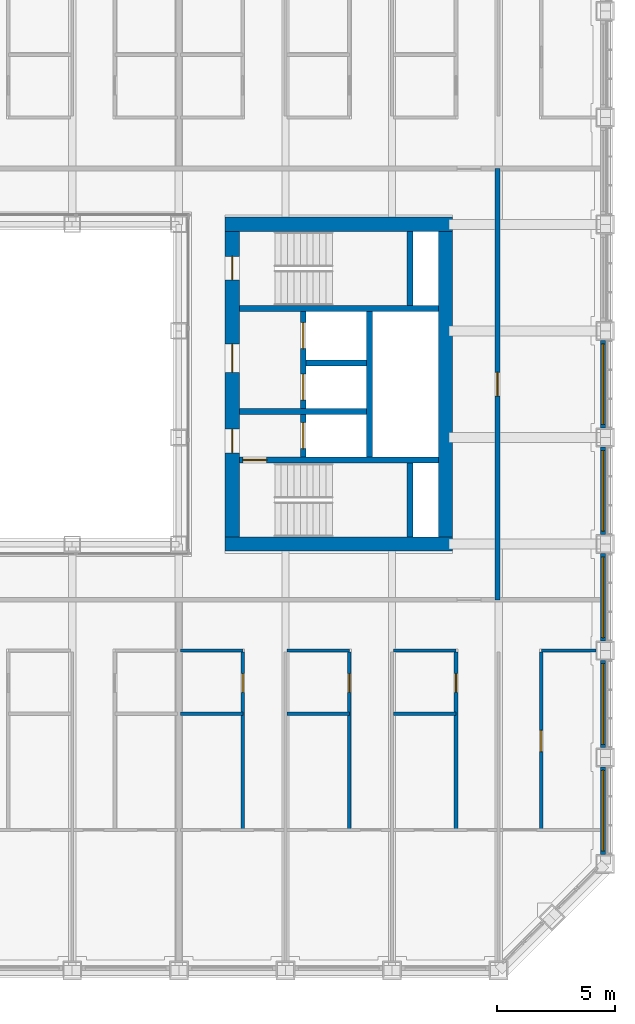
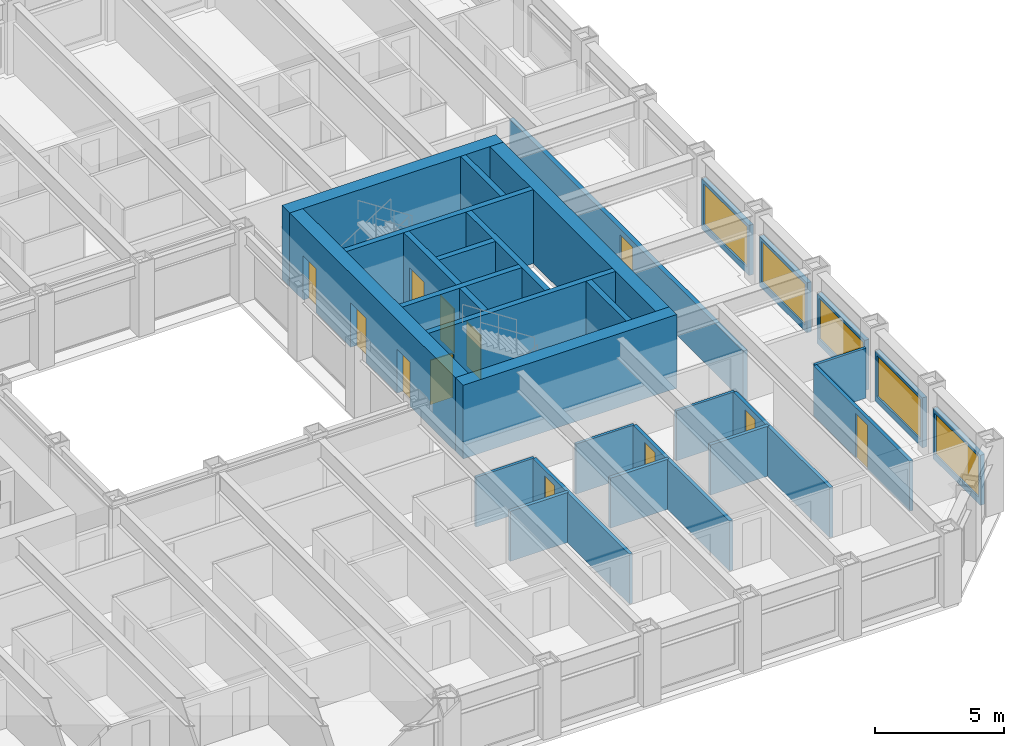
# One storey, part 12 of 21: 29 walls, 12 doors, 5 windows, 17 openings.
"""IFC4 building model written with IfcOpenShell, lengths in metres."""

from ifc_helpers import new_model, si_unit, direction, frame, frame_2d, origin, place, context, subcontext, project, spatial, rectangle, extrude, material, layer, layer_set, type_object, element, fill, save


model = new_model("IFC4")

# Units and contexts
model_context = context("Model", 3, precision=1e-05, world=origin(), true_north=direction((0.0, 1.0)))
body_context = subcontext(model_context, "Body", "Model", "MODEL_VIEW")
ifc_project = project(units=[si_unit("LENGTHUNIT", "METRE"), si_unit("AREAUNIT", "SQUARE_METRE"), si_unit("VOLUMEUNIT", "CUBIC_METRE"), si_unit("PLANEANGLEUNIT", "RADIAN"), si_unit("MASSUNIT", "GRAM", prefix="KILO")], contexts=[model_context])

# Site, building, storey
site_placement = place(None, origin())
site = spatial("IfcSite", under=ifc_project, at=site_placement, CompositionType="ELEMENT")
building_placement = place(site_placement, origin())
building = spatial("IfcBuilding", under=site, at=building_placement, Name="Msasa Ring Tower", CompositionType="ELEMENT")
storey_placement = place(building_placement, frame((0.0, 0.0, 93.0)))
storey = spatial("IfcBuildingStorey", under=building, at=storey_placement, Name="L24", CompositionType="ELEMENT", Elevation=93.0)

# Walls
ifc_material_1 = material(Name="Concrete C60/75", Category="concrete")
ifc_layer_1 = layer(ifc_material_1, 0.60009765625)
ifc_layer_set_1 = layer_set([ifc_layer_1], Name="CW1 CORE WALL 600")
wall_type_1 = type_object("IfcWallType", Name="CW1 CORE WALL 600", PredefinedType="SHEAR", material=ifc_layer_set_1)
for number, where, z_axis, x_axis, name in (
    (1, (8.699951171875, -6.75, 0.0), (0.0, 0.0, 1.0), (1.0, 0.0, 0.0), "E core wall S L24"),
    (2, (8.699951171875, 6.75, 0.0), (0.0, 0.0, 1.0), (1.0, 0.0, 0.0), "E core wall N L24"),
):
    element("IfcWall", number, at=place(storey_placement, frame(where, z_axis=z_axis, x_axis=x_axis)), inside=storey, type_object=wall_type_1, Name=name, PredefinedType="SHEAR", context=body_context, shape_type="SweptSolid", body=[
        extrude(rectangle(XDim=9.60009765625, YDim=0.60009765625, at=frame_2d((4.800048828125, 0.0))), origin(), (0.0, 0.0, 1.0), 3.5),
    ])

# Wall, openings, doors
wall_1_placement = place(storey_placement, frame((9.0, -6.449951171875, 0.0), z_axis=(0.0, 0.0, 1.0), x_axis=(0.0, 1.0, 0.0)))
wall_1 = element("IfcWall", 3, at=wall_1_placement, inside=storey, type_object=wall_type_1, Name="E core wall W L24", PredefinedType="SHEAR", context=body_context, shape_type="SweptSolid", body=[
    extrude(rectangle(XDim=12.89990234375, YDim=0.60009765625, at=frame_2d((6.449951171875, 0.0))), origin(), (0.0, 0.0, 1.0), 3.5),
])
opening_1_placement = place(wall_1_placement, frame((3.550048828125, 0.0, 0.0)))
opening_1 = element("IfcOpeningElement", 4, at=opening_1_placement, cuts=wall_1, Name="Opening RG-045", PredefinedType="OPENING", context=body_context, shape_type="SweptSolid", body=[
    extrude(rectangle(XDim=1.0, YDim=2.10009765625, at=frame_2d((0.5, 1.050048828125))), frame((0.0, 0.31005859375, 0.0), z_axis=(0.0, -1.0, 0.0), x_axis=(1.0, 0.0, 0.0)), (0.0, 0.0, 1.0), 0.6201171875),
])
opening_2_placement = place(wall_1_placement, frame((6.949951171875, 0.0, 0.0)))
opening_2 = element("IfcOpeningElement", 5, at=opening_2_placement, cuts=wall_1, Name="Opening RG-040", PredefinedType="OPENING", context=body_context, shape_type="SweptSolid", body=[
    extrude(rectangle(XDim=1.199951171875, YDim=2.10009765625, at=frame_2d((0.60009765625, 1.050048828125))), frame((0.0, 0.31005859375, 0.0), z_axis=(0.0, -1.0, 0.0), x_axis=(1.0, 0.0, 0.0)), (0.0, 0.0, 1.0), 0.6201171875),
])
opening_3_placement = place(wall_1_placement, frame((10.85009765625, 0.0, 0.0)))
opening_3 = element("IfcOpeningElement", 6, at=opening_3_placement, cuts=wall_1, Name="Opening RG-037", PredefinedType="OPENING", context=body_context, shape_type="SweptSolid", body=[
    extrude(rectangle(XDim=1.0, YDim=2.10009765625, at=frame_2d((0.5, 1.050048828125))), frame((0.0, 0.31005859375, 0.0), z_axis=(0.0, -1.0, 0.0), x_axis=(1.0, 0.0, 0.0)), (0.0, 0.0, 1.0), 0.6201171875),
])
ifc_material_2 = material(Name="Timber door leaf in a steel frame", Category="steel")
door_type_1 = type_object("IfcDoorType", Name="D4 LOBBY DOOR 1000x2100", OperationType="SINGLE_SWING_LEFT", PredefinedType="DOOR", material=ifc_material_2)
door_1_placement = place(opening_1_placement, origin())
door_1 = element("IfcDoor", 7, at=door_1_placement, inside=storey, type_object=door_type_1, Name="Door L24-EFFL", OperationType="SINGLE_SWING_LEFT", OverallHeight=2.10009765625, OverallWidth=1.0, PredefinedType="DOOR", context=body_context, shape_type="SweptSolid", body=[
    extrude(rectangle(XDim=1.0, YDim=2.10009765625, at=frame_2d((0.5, 1.050048828125))), frame((0.0, 0.02490234375, 0.0), z_axis=(0.0, -1.0, 0.0), x_axis=(1.0, 0.0, 0.0)), (0.0, 0.0, 1.0), 0.050048828125),
])
fill(opening_1, door_1)
ifc_material_3 = material(Name="Timber door leaf in a steel frame", Category="steel")
door_type_2 = type_object("IfcDoorType", Name="D5 WIDE LOBBY DOOR 1200x2100", OperationType="SINGLE_SWING_LEFT", PredefinedType="DOOR", material=ifc_material_3)
door_2_placement = place(opening_2_placement, origin())
door_2 = element("IfcDoor", 8, at=door_2_placement, inside=storey, type_object=door_type_2, Name="Door L24-ELL", OperationType="SINGLE_SWING_RIGHT", OverallHeight=2.10009765625, OverallWidth=1.199951171875, PredefinedType="DOOR", context=body_context, shape_type="SweptSolid", body=[
    extrude(rectangle(XDim=1.199951171875, YDim=2.10009765625, at=frame_2d((0.60009765625, 1.050048828125))), frame((0.0, 0.02490234375, 0.0), z_axis=(0.0, -1.0, 0.0), x_axis=(1.0, 0.0, 0.0)), (0.0, 0.0, 1.0), 0.050048828125),
])
fill(opening_2, door_2)
ifc_material_4 = material(Name="Timber door leaf in a steel frame", Category="steel")
door_type_3 = type_object("IfcDoorType", Name="D6 STAIR DOOR 1000x2100", OperationType="SINGLE_SWING_LEFT", PredefinedType="DOOR", material=ifc_material_4)
door_3_placement = place(opening_3_placement, origin())
door_3 = element("IfcDoor", 9, at=door_3_placement, inside=storey, type_object=door_type_3, Name="Door L24-ESTB", OperationType="SINGLE_SWING_RIGHT", OverallHeight=2.10009765625, OverallWidth=1.0, PredefinedType="DOOR", context=body_context, shape_type="SweptSolid", body=[
    extrude(rectangle(XDim=1.0, YDim=2.10009765625, at=frame_2d((0.5, 1.050048828125))), frame((0.0, 0.02490234375, 0.0), z_axis=(0.0, -1.0, 0.0), x_axis=(1.0, 0.0, 0.0)), (0.0, 0.0, 1.0), 0.050048828125),
])
fill(opening_3, door_3)

# Wall
wall_2_placement = place(storey_placement, frame((18.0, -6.449951171875, 0.0), z_axis=(0.0, 0.0, 1.0), x_axis=(0.0, 1.0, 0.0)))
element("IfcWall", 10, at=wall_2_placement, inside=storey, type_object=wall_type_1, Name="E core wall E L24", PredefinedType="SHEAR", context=body_context, shape_type="SweptSolid", body=[
    extrude(rectangle(XDim=12.89990234375, YDim=0.60009765625, at=frame_2d((6.449951171875, 0.0))), origin(), (0.0, 0.0, 1.0), 3.5),
])

# Wall, opening, door
ifc_material_5 = material(Name="Concrete C60/75", Category="concrete")
ifc_layer_2 = layer(ifc_material_5, 0.25)
ifc_layer_set_2 = layer_set([ifc_layer_2], Name="CW4 CORE INNER WALL 250")
wall_type_2 = type_object("IfcWallType", Name="CW4 CORE INNER WALL 250", PredefinedType="SHEAR", material=ifc_layer_set_2)
wall_3_placement = place(storey_placement, frame((9.300048828125, -3.199951171875, 0.0), z_axis=(0.0, 0.0, 1.0), x_axis=(1.0, 0.0, 0.0)))
wall_3 = element("IfcWall", 11, at=wall_3_placement, inside=storey, type_object=wall_type_2, Name="E core wall STAIRA L24", PredefinedType="SHEAR", context=body_context, shape_type="SweptSolid", body=[
    extrude(rectangle(XDim=8.39990234375, YDim=0.25, at=frame_2d((4.199951171875, 0.0))), origin(), (0.0, 0.0, 1.0), 3.5),
])
opening_4_placement = place(wall_3_placement, frame((0.14990234375, 0.0, 0.0)))
opening_4 = element("IfcOpeningElement", 12, at=opening_4_placement, cuts=wall_3, Name="Opening RG-047", PredefinedType="OPENING", context=body_context, shape_type="SweptSolid", body=[
    extrude(rectangle(XDim=1.0, YDim=2.10009765625, at=frame_2d((0.5, 1.050048828125))), frame((0.0, 0.135009765625, 0.0), z_axis=(0.0, -1.0, 0.0), x_axis=(1.0, 0.0, 0.0)), (0.0, 0.0, 1.0), 0.27001953125),
])
door_4_placement = place(opening_4_placement, origin())
door_4 = element("IfcDoor", 13, at=door_4_placement, inside=storey, type_object=door_type_3, Name="Door L24-ESTA", OperationType="SINGLE_SWING_LEFT", OverallHeight=2.10009765625, OverallWidth=1.0, PredefinedType="DOOR", context=body_context, shape_type="SweptSolid", body=[
    extrude(rectangle(XDim=1.0, YDim=2.10009765625, at=frame_2d((0.5, 1.050048828125))), frame((0.0, 0.02490234375, 0.0), z_axis=(0.0, -1.0, 0.0), x_axis=(1.0, 0.0, 0.0)), (0.0, 0.0, 1.0), 0.050048828125),
])
fill(opening_4, door_4)

# Walls
wall_4_placement = place(storey_placement, frame((9.300048828125, 3.199951171875, 0.0), z_axis=(0.0, 0.0, 1.0), x_axis=(1.0, 0.0, 0.0)))
element("IfcWall", 14, at=wall_4_placement, inside=storey, type_object=wall_type_2, Name="E core wall STAIRB L24", PredefinedType="SHEAR", context=body_context, shape_type="SweptSolid", body=[
    extrude(rectangle(XDim=8.39990234375, YDim=0.25, at=frame_2d((4.199951171875, 0.0))), origin(), (0.0, 0.0, 1.0), 3.5),
])
for number, where, z_axis, x_axis, name in (
    (15, (16.5, -6.449951171875, 0.0), (0.0, 0.0, 1.0), (0.0, 1.0, 0.0), "E core wall RISERA L24"),
    (16, (16.5, 3.324951171875, 0.0), (0.0, 0.0, 1.0), (0.0, 1.0, 0.0), "E core wall RISERB L24"),
):
    element("IfcWall", number, at=place(storey_placement, frame(where, z_axis=z_axis, x_axis=x_axis)), inside=storey, type_object=wall_type_2, Name=name, PredefinedType="SHEAR", context=body_context, shape_type="SweptSolid", body=[
        extrude(rectangle(XDim=3.125, YDim=0.25, at=frame_2d((1.5625, 0.0))), origin(), (0.0, 0.0, 1.0), 3.5),
    ])
wall_5_placement = place(storey_placement, frame((9.300048828125, -1.14990234375, 0.0), z_axis=(0.0, 0.0, 1.0), x_axis=(1.0, 0.0, 0.0)))
element("IfcWall", 17, at=wall_5_placement, inside=storey, type_object=wall_type_2, Name="E core wall FFL L24", PredefinedType="SHEAR", context=body_context, shape_type="SweptSolid", body=[
    extrude(rectangle(XDim=5.375, YDim=0.25, at=frame_2d((2.6875, 0.0))), origin(), (0.0, 0.0, 1.0), 3.5),
])

# Wall, openings, doors
wall_6_placement = place(storey_placement, frame((12.0, -3.074951171875, 0.0), z_axis=(0.0, 0.0, 1.0), x_axis=(0.0, 1.0, 0.0)))
wall_6 = element("IfcWall", 18, at=wall_6_placement, inside=storey, type_object=wall_type_2, Name="E core wall LOBBY L24", PredefinedType="SHEAR", context=body_context, shape_type="SweptSolid", body=[
    extrude(rectangle(XDim=6.14990234375, YDim=0.25, at=frame_2d((3.074951171875, 0.0))), origin(), (0.0, 0.0, 1.0), 3.5),
])
opening_5_placement = place(wall_6_placement, frame((0.35009765625, 0.0, 0.0)))
opening_5 = element("IfcOpeningElement", 19, at=opening_5_placement, cuts=wall_6, Name="Opening LD1", PredefinedType="OPENING", context=body_context, shape_type="SweptSolid", body=[
    extrude(rectangle(XDim=1.10009765625, YDim=2.10009765625, at=frame_2d((0.550048828125, 1.050048828125))), frame((0.0, 0.135009765625, 0.0), z_axis=(0.0, -1.0, 0.0), x_axis=(1.0, 0.0, 0.0)), (0.0, 0.0, 1.0), 0.27001953125),
])
opening_6_placement = place(wall_6_placement, frame((2.39990234375, 0.0, 0.0)))
opening_6 = element("IfcOpeningElement", 20, at=opening_6_placement, cuts=wall_6, Name="Opening LD1", PredefinedType="OPENING", context=body_context, shape_type="SweptSolid", body=[
    extrude(rectangle(XDim=1.10009765625, YDim=2.10009765625, at=frame_2d((0.550048828125, 1.050048828125))), frame((0.0, 0.135009765625, 0.0), z_axis=(0.0, -1.0, 0.0), x_axis=(1.0, 0.0, 0.0)), (0.0, 0.0, 1.0), 0.27001953125),
])
opening_7_placement = place(wall_6_placement, frame((4.574951171875, 0.0, 0.0)))
opening_7 = element("IfcOpeningElement", 21, at=opening_7_placement, cuts=wall_6, Name="Opening LD1", PredefinedType="OPENING", context=body_context, shape_type="SweptSolid", body=[
    extrude(rectangle(XDim=1.10009765625, YDim=2.10009765625, at=frame_2d((0.550048828125, 1.050048828125))), frame((0.0, 0.135009765625, 0.0), z_axis=(0.0, -1.0, 0.0), x_axis=(1.0, 0.0, 0.0)), (0.0, 0.0, 1.0), 0.27001953125),
])
ifc_material_6 = material(Name="Stainless steel lift landing door", Category="steel")
door_type_4 = type_object("IfcDoorType", Name="LD1 LIFT LANDING DOOR 1100x2100", OperationType="DOUBLE_DOOR_SLIDING", PredefinedType="DOOR", material=ifc_material_6)
door_5_placement = place(opening_5_placement, origin())
door_5 = element("IfcDoor", 22, at=door_5_placement, inside=storey, type_object=door_type_4, Name="Lift landing door FL-E L24", OperationType="DOUBLE_DOOR_SLIDING", OverallHeight=2.10009765625, OverallWidth=1.10009765625, PredefinedType="DOOR", context=body_context, shape_type="SweptSolid", body=[
    extrude(rectangle(XDim=1.10009765625, YDim=2.10009765625, at=frame_2d((0.550048828125, 1.050048828125))), frame((0.0, 0.02490234375, 0.0), z_axis=(0.0, -1.0, 0.0), x_axis=(1.0, 0.0, 0.0)), (0.0, 0.0, 1.0), 0.050048828125),
])
fill(opening_5, door_5)
door_6_placement = place(opening_6_placement, origin())
door_6 = element("IfcDoor", 23, at=door_6_placement, inside=storey, type_object=door_type_4, Name="Lift landing door PL-R1 L24", OperationType="DOUBLE_DOOR_SLIDING", OverallHeight=2.10009765625, OverallWidth=1.10009765625, PredefinedType="DOOR", context=body_context, shape_type="SweptSolid", body=[
    extrude(rectangle(XDim=1.10009765625, YDim=2.10009765625, at=frame_2d((0.550048828125, 1.050048828125))), frame((0.0, 0.02490234375, 0.0), z_axis=(0.0, -1.0, 0.0), x_axis=(1.0, 0.0, 0.0)), (0.0, 0.0, 1.0), 0.050048828125),
])
fill(opening_6, door_6)
door_7_placement = place(opening_7_placement, origin())
door_7 = element("IfcDoor", 24, at=door_7_placement, inside=storey, type_object=door_type_4, Name="Lift landing door PL-R2 L24", OperationType="DOUBLE_DOOR_SLIDING", OverallHeight=2.10009765625, OverallWidth=1.10009765625, PredefinedType="DOOR", context=body_context, shape_type="SweptSolid", body=[
    extrude(rectangle(XDim=1.10009765625, YDim=2.10009765625, at=frame_2d((0.550048828125, 1.050048828125))), frame((0.0, 0.02490234375, 0.0), z_axis=(0.0, -1.0, 0.0), x_axis=(1.0, 0.0, 0.0)), (0.0, 0.0, 1.0), 0.050048828125),
])
fill(opening_7, door_7)

# Walls
wall_7_placement = place(storey_placement, frame((14.800048828125, -3.074951171875, 0.0), z_axis=(0.0, 0.0, 1.0), x_axis=(0.0, 1.0, 0.0)))
element("IfcWall", 25, at=wall_7_placement, inside=storey, type_object=wall_type_2, Name="E core wall SHAFT L24", PredefinedType="SHEAR", context=body_context, shape_type="SweptSolid", body=[
    extrude(rectangle(XDim=6.14990234375, YDim=0.25, at=frame_2d((3.074951171875, 0.0))), origin(), (0.0, 0.0, 1.0), 3.5),
])
wall_8_placement = place(storey_placement, frame((12.125, 0.89990234375, 0.0), z_axis=(0.0, 0.0, 1.0), x_axis=(1.0, 0.0, 0.0)))
element("IfcWall", 26, at=wall_8_placement, inside=storey, type_object=wall_type_2, Name="E core wall LIFT1 L24", PredefinedType="SHEAR", context=body_context, shape_type="SweptSolid", body=[
    extrude(rectangle(XDim=2.550048828125, YDim=0.25, at=frame_2d((1.27490234375, 0.0))), origin(), (0.0, 0.0, 1.0), 3.5),
])

# Wall, opening, window
ifc_material_7 = material(Name="Terracotta rainscreen on blockwork", Category="masonry")
ifc_layer_3 = layer(ifc_material_7, 0.199951171875)
ifc_layer_set_3 = layer_set([ifc_layer_3], Name="FW1 TERRACOTTA-LINED INFILL BAY WALL 200")
wall_type_3 = type_object("IfcWallType", Name="FW1 TERRACOTTA-LINED INFILL BAY WALL 200", PredefinedType="SOLIDWALL", material=ifc_layer_set_3)
wall_9_placement = place(storey_placement, frame((24.64990234375, -19.844970703125, 0.0), z_axis=(0.0, 0.0, 1.0), x_axis=(0.0, 1.0, 0.0)))
wall_9 = element("IfcWall", 27, at=wall_9_placement, inside=storey, type_object=wall_type_3, Name="Infill bay wall E L24 11", PredefinedType="SOLIDWALL", context=body_context, shape_type="SweptSolid", body=[
    extrude(rectangle(XDim=3.68994140625, YDim=0.199951171875, at=frame_2d((1.844970703125, 0.0))), origin(), (0.0, 0.0, 1.0), 2.37890625),
])
opening_8_placement = place(wall_9_placement, frame((0.14501953125, 0.0, 0.300048828125)))
opening_8 = element("IfcOpeningElement", 28, at=opening_8_placement, cuts=wall_9, Name="Opening WN1", PredefinedType="OPENING", context=body_context, shape_type="SweptSolid", body=[
    extrude(rectangle(XDim=3.39990234375, YDim=1.928955078125, at=frame_2d((1.699951171875, 0.96435546875))), frame((0.0, 0.10986328125, 0.0), z_axis=(0.0, -1.0, 0.0), x_axis=(1.0, 0.0, 0.0)), (0.0, 0.0, 1.0), 0.219970703125),
])
ifc_material_8 = material(Name="Aluminium frame with clear glass", Category="aluminium")
window_type = type_object("IfcWindowType", Name="WN1 RESIDENCE WINDOW 3400x1929", PartitioningType="SINGLE_PANEL", PredefinedType="WINDOW", material=ifc_material_8)
window_1_placement = place(opening_8_placement, origin())
window_1 = element("IfcWindow", 29, at=window_1_placement, inside=storey, type_object=window_type, Name="Window E L24 11", OverallHeight=1.928955078125, OverallWidth=3.39990234375, PartitioningType="SINGLE_PANEL", PredefinedType="WINDOW", context=body_context, shape_type="SweptSolid", body=[
    extrude(rectangle(XDim=3.39990234375, YDim=1.928955078125, at=frame_2d((1.699951171875, 0.96435546875))), frame((0.0, 0.030029296875, 0.0), z_axis=(0.0, -1.0, 0.0), x_axis=(1.0, 0.0, 0.0)), (0.0, 0.0, 1.0), 0.06005859375),
])
fill(opening_8, window_1)

wall_10_placement = place(storey_placement, frame((24.64990234375, -15.344970703125, 0.0), z_axis=(0.0, 0.0, 1.0), x_axis=(0.0, 1.0, 0.0)))
wall_10 = element("IfcWall", 30, at=wall_10_placement, inside=storey, type_object=wall_type_3, Name="Infill bay wall E L24 12", PredefinedType="SOLIDWALL", context=body_context, shape_type="SweptSolid", body=[
    extrude(rectangle(XDim=3.68994140625, YDim=0.199951171875, at=frame_2d((1.844970703125, 0.0))), origin(), (0.0, 0.0, 1.0), 2.37890625),
])
opening_9_placement = place(wall_10_placement, frame((0.14501953125, 0.0, 0.300048828125)))
opening_9 = element("IfcOpeningElement", 31, at=opening_9_placement, cuts=wall_10, Name="Opening WN1", PredefinedType="OPENING", context=body_context, shape_type="SweptSolid", body=[
    extrude(rectangle(XDim=3.39990234375, YDim=1.928955078125, at=frame_2d((1.699951171875, 0.96435546875))), frame((0.0, 0.10986328125, 0.0), z_axis=(0.0, -1.0, 0.0), x_axis=(1.0, 0.0, 0.0)), (0.0, 0.0, 1.0), 0.219970703125),
])
window_2_placement = place(opening_9_placement, origin())
window_2 = element("IfcWindow", 32, at=window_2_placement, inside=storey, type_object=window_type, Name="Window E L24 12", OverallHeight=1.928955078125, OverallWidth=3.39990234375, PartitioningType="SINGLE_PANEL", PredefinedType="WINDOW", context=body_context, shape_type="SweptSolid", body=[
    extrude(rectangle(XDim=3.39990234375, YDim=1.928955078125, at=frame_2d((1.699951171875, 0.96435546875))), frame((0.0, 0.030029296875, 0.0), z_axis=(0.0, -1.0, 0.0), x_axis=(1.0, 0.0, 0.0)), (0.0, 0.0, 1.0), 0.06005859375),
])
fill(opening_9, window_2)

wall_11_placement = place(storey_placement, frame((24.64990234375, -10.844970703125, 0.0), z_axis=(0.0, 0.0, 1.0), x_axis=(0.0, 1.0, 0.0)))
wall_11 = element("IfcWall", 33, at=wall_11_placement, inside=storey, type_object=wall_type_3, Name="Infill bay wall E L24 13", PredefinedType="SOLIDWALL", context=body_context, shape_type="SweptSolid", body=[
    extrude(rectangle(XDim=3.68994140625, YDim=0.199951171875, at=frame_2d((1.844970703125, 0.0))), origin(), (0.0, 0.0, 1.0), 2.37890625),
])
opening_10_placement = place(wall_11_placement, frame((0.14501953125, 0.0, 0.300048828125)))
opening_10 = element("IfcOpeningElement", 34, at=opening_10_placement, cuts=wall_11, Name="Opening WN1", PredefinedType="OPENING", context=body_context, shape_type="SweptSolid", body=[
    extrude(rectangle(XDim=3.39990234375, YDim=1.928955078125, at=frame_2d((1.699951171875, 0.96435546875))), frame((0.0, 0.10986328125, 0.0), z_axis=(0.0, -1.0, 0.0), x_axis=(1.0, 0.0, 0.0)), (0.0, 0.0, 1.0), 0.219970703125),
])
window_3_placement = place(opening_10_placement, origin())
window_3 = element("IfcWindow", 35, at=window_3_placement, inside=storey, type_object=window_type, Name="Window E L24 13", OverallHeight=1.928955078125, OverallWidth=3.39990234375, PartitioningType="SINGLE_PANEL", PredefinedType="WINDOW", context=body_context, shape_type="SweptSolid", body=[
    extrude(rectangle(XDim=3.39990234375, YDim=1.928955078125, at=frame_2d((1.699951171875, 0.96435546875))), frame((0.0, 0.030029296875, 0.0), z_axis=(0.0, -1.0, 0.0), x_axis=(1.0, 0.0, 0.0)), (0.0, 0.0, 1.0), 0.06005859375),
])
fill(opening_10, window_3)

wall_12_placement = place(storey_placement, frame((24.64990234375, -6.344970703125, 0.0), z_axis=(0.0, 0.0, 1.0), x_axis=(0.0, 1.0, 0.0)))
wall_12 = element("IfcWall", 36, at=wall_12_placement, inside=storey, type_object=wall_type_3, Name="Infill bay wall E L24 14", PredefinedType="SOLIDWALL", context=body_context, shape_type="SweptSolid", body=[
    extrude(rectangle(XDim=3.68994140625, YDim=0.199951171875, at=frame_2d((1.844970703125, 0.0))), origin(), (0.0, 0.0, 1.0), 2.37890625),
])
opening_11_placement = place(wall_12_placement, frame((0.14501953125, 0.0, 0.300048828125)))
opening_11 = element("IfcOpeningElement", 37, at=opening_11_placement, cuts=wall_12, Name="Opening WN1", PredefinedType="OPENING", context=body_context, shape_type="SweptSolid", body=[
    extrude(rectangle(XDim=3.39990234375, YDim=1.928955078125, at=frame_2d((1.699951171875, 0.96435546875))), frame((0.0, 0.10986328125, 0.0), z_axis=(0.0, -1.0, 0.0), x_axis=(1.0, 0.0, 0.0)), (0.0, 0.0, 1.0), 0.219970703125),
])
window_4_placement = place(opening_11_placement, origin())
window_4 = element("IfcWindow", 38, at=window_4_placement, inside=storey, type_object=window_type, Name="Window E L24 14", OverallHeight=1.928955078125, OverallWidth=3.39990234375, PartitioningType="SINGLE_PANEL", PredefinedType="WINDOW", context=body_context, shape_type="SweptSolid", body=[
    extrude(rectangle(XDim=3.39990234375, YDim=1.928955078125, at=frame_2d((1.699951171875, 0.96435546875))), frame((0.0, 0.030029296875, 0.0), z_axis=(0.0, -1.0, 0.0), x_axis=(1.0, 0.0, 0.0)), (0.0, 0.0, 1.0), 0.06005859375),
])
fill(opening_11, window_4)

wall_13_placement = place(storey_placement, frame((24.64990234375, -1.844970703125, 0.0), z_axis=(0.0, 0.0, 1.0), x_axis=(0.0, 1.0, 0.0)))
wall_13 = element("IfcWall", 39, at=wall_13_placement, inside=storey, type_object=wall_type_3, Name="Infill bay wall E L24 15", PredefinedType="SOLIDWALL", context=body_context, shape_type="SweptSolid", body=[
    extrude(rectangle(XDim=3.68994140625, YDim=0.199951171875, at=frame_2d((1.844970703125, 0.0))), origin(), (0.0, 0.0, 1.0), 2.37890625),
])
opening_12_placement = place(wall_13_placement, frame((0.14501953125, 0.0, 0.300048828125)))
opening_12 = element("IfcOpeningElement", 40, at=opening_12_placement, cuts=wall_13, Name="Opening WN1", PredefinedType="OPENING", context=body_context, shape_type="SweptSolid", body=[
    extrude(rectangle(XDim=3.39990234375, YDim=1.928955078125, at=frame_2d((1.699951171875, 0.96435546875))), frame((0.0, 0.10986328125, 0.0), z_axis=(0.0, -1.0, 0.0), x_axis=(1.0, 0.0, 0.0)), (0.0, 0.0, 1.0), 0.219970703125),
])
window_5_placement = place(opening_12_placement, origin())
window_5 = element("IfcWindow", 41, at=window_5_placement, inside=storey, type_object=window_type, Name="Window E L24 15", OverallHeight=1.928955078125, OverallWidth=3.39990234375, PartitioningType="SINGLE_PANEL", PredefinedType="WINDOW", context=body_context, shape_type="SweptSolid", body=[
    extrude(rectangle(XDim=3.39990234375, YDim=1.928955078125, at=frame_2d((1.699951171875, 0.96435546875))), frame((0.0, 0.030029296875, 0.0), z_axis=(0.0, -1.0, 0.0), x_axis=(1.0, 0.0, 0.0)), (0.0, 0.0, 1.0), 0.06005859375),
])
fill(opening_12, window_5)

# Wall, opening, door
ifc_material_9 = material(Name="Concrete blockwork", Category="masonry")
ifc_layer_4 = layer(ifc_material_9, 0.199951171875)
ifc_layer_set_4 = layer_set([ifc_layer_4], Name="PT1 CORRIDOR WALL 200")
wall_type_4 = type_object("IfcWallType", Name="PT1 CORRIDOR WALL 200", PredefinedType="PARTITIONING", material=ifc_layer_set_4)
wall_14_placement = place(storey_placement, frame((20.199951171875, -9.10009765625, 0.0), z_axis=(0.0, 0.0, 1.0), x_axis=(0.0, 1.0, 0.0)))
wall_14 = element("IfcWall", 42, at=wall_14_placement, inside=storey, type_object=wall_type_4, Name="Corridor wall L24-STRE", PredefinedType="PARTITIONING", context=body_context, shape_type="SweptSolid", body=[
    extrude(rectangle(XDim=18.2001953125, YDim=0.199951171875, at=frame_2d((9.10009765625, 0.0))), origin(), (0.0, 0.0, 1.0), 2.373291015625),
])
opening_13_placement = place(wall_14_placement, frame((8.60009765625, 0.0, 0.0)))
opening_13 = element("IfcOpeningElement", 43, at=opening_13_placement, cuts=wall_14, Name="Opening RG-042", PredefinedType="OPENING", context=body_context, shape_type="SweptSolid", body=[
    extrude(rectangle(XDim=1.0, YDim=2.10009765625, at=frame_2d((0.5, 1.050048828125))), frame((0.0, 0.10986328125, 0.0), z_axis=(0.0, -1.0, 0.0), x_axis=(1.0, 0.0, 0.0)), (0.0, 0.0, 1.0), 0.219970703125),
])
ifc_material_10 = material(Name="Timber door leaf in a steel frame", Category="steel")
door_type_5 = type_object("IfcDoorType", Name="D10 STORE DOOR 1000x2100", OperationType="SINGLE_SWING_LEFT", PredefinedType="DOOR", material=ifc_material_10)
door_8_placement = place(opening_13_placement, origin())
door_8 = element("IfcDoor", 44, at=door_8_placement, inside=storey, type_object=door_type_5, Name="Door L24-RSE", OperationType="SINGLE_SWING_LEFT", OverallHeight=2.10009765625, OverallWidth=1.0, PredefinedType="DOOR", context=body_context, shape_type="SweptSolid", body=[
    extrude(rectangle(XDim=1.0, YDim=2.10009765625, at=frame_2d((0.5, 1.050048828125))), frame((0.0, 0.02490234375, 0.0), z_axis=(0.0, -1.0, 0.0), x_axis=(1.0, 0.0, 0.0)), (0.0, 0.0, 1.0), 0.050048828125),
])
fill(opening_13, door_8)

ifc_material_11 = material(Name="Moisture-resistant board on steel studs with a concealed cistern and pipe void, tiled", Category="steel")
ifc_layer_5 = layer(ifc_material_11, 0.14990234375)
ifc_layer_set_5 = layer_set([ifc_layer_5], Name="PT4 BATHROOM WET WALL 150")
wall_type_5 = type_object("IfcWallType", Name="PT4 BATHROOM WET WALL 150", PredefinedType="PARTITIONING", material=ifc_layer_set_5)
wall_15_placement = place(storey_placement, frame((22.050048828125, -18.8125, 0.0), z_axis=(0.0, 0.0, 1.0), x_axis=(0.0, 1.0, 0.0)))
wall_15 = element("IfcWall", 45, at=wall_15_placement, inside=storey, type_object=wall_type_5, Name="Partition L24-US02SX0", PredefinedType="PARTITIONING", context=body_context, shape_type="SweptSolid", body=[
    extrude(rectangle(XDim=7.5, YDim=0.14990234375, at=frame_2d((3.75, 0.0))), origin(), (0.0, 0.0, 1.0), 2.373291015625),
])
opening_14_placement = place(wall_15_placement, frame((3.300048828125, 0.0, 0.0)))
opening_14 = element("IfcOpeningElement", 46, at=opening_14_placement, cuts=wall_15, Name="Opening RG-063", PredefinedType="OPENING", context=body_context, shape_type="SweptSolid", body=[
    extrude(rectangle(XDim=0.89990234375, YDim=2.10009765625, at=frame_2d((0.449951171875, 1.050048828125))), frame((0.0, 0.0849609375, 0.0), z_axis=(0.0, -1.0, 0.0), x_axis=(1.0, 0.0, 0.0)), (0.0, 0.0, 1.0), 0.169921875),
])
ifc_material_12 = material(Name="Timber door leaf in a steel frame", Category="steel")
door_type_6 = type_object("IfcDoorType", Name="D22 INTERNAL HALL DOOR 900x2100", OperationType="SINGLE_SWING_LEFT", PredefinedType="DOOR", material=ifc_material_12)
door_9_placement = place(opening_14_placement, origin())
door_9 = element("IfcDoor", 47, at=door_9_placement, inside=storey, type_object=door_type_6, Name="Door L24-US02K", OperationType="SINGLE_SWING_LEFT", OverallHeight=2.10009765625, OverallWidth=0.89990234375, PredefinedType="DOOR", context=body_context, shape_type="SweptSolid", body=[
    extrude(rectangle(XDim=0.89990234375, YDim=2.10009765625, at=frame_2d((0.449951171875, 1.050048828125))), frame((0.0, 0.02490234375, 0.0), z_axis=(0.0, -1.0, 0.0), x_axis=(1.0, 0.0, 0.0)), (0.0, 0.0, 1.0), 0.050048828125),
])
fill(opening_14, door_9)

wall_16_placement = place(storey_placement, frame((18.449951171875, -18.8125, 0.0), z_axis=(0.0, 0.0, 1.0), x_axis=(0.0, 1.0, 0.0)))
wall_16 = element("IfcWall", 48, at=wall_16_placement, inside=storey, type_object=wall_type_5, Name="Partition L24-US02SX1", PredefinedType="PARTITIONING", context=body_context, shape_type="SweptSolid", body=[
    extrude(rectangle(XDim=7.5, YDim=0.14990234375, at=frame_2d((3.75, 0.0))), origin(), (0.0, 0.0, 1.0), 2.373291015625),
])
opening_15_placement = place(wall_16_placement, frame((5.800048828125, 0.0, 0.0)))
opening_15 = element("IfcOpeningElement", 49, at=opening_15_placement, cuts=wall_16, Name="Opening RG-060", PredefinedType="OPENING", context=body_context, shape_type="SweptSolid", body=[
    extrude(rectangle(XDim=0.800048828125, YDim=2.10009765625, at=frame_2d((0.39990234375, 1.050048828125))), frame((0.0, 0.0849609375, 0.0), z_axis=(0.0, -1.0, 0.0), x_axis=(1.0, 0.0, 0.0)), (0.0, 0.0, 1.0), 0.169921875),
])
ifc_material_13 = material(Name="Timber door leaf in a steel frame", Category="steel")
door_type_7 = type_object("IfcDoorType", Name="D21 POCKET SLIDING BATHROOM DOOR 800x2100", OperationType="SINGLE_SWING_LEFT", PredefinedType="DOOR", material=ifc_material_13)
door_10_placement = place(opening_15_placement, origin())
door_10 = element("IfcDoor", 50, at=door_10_placement, inside=storey, type_object=door_type_7, Name="Door L24-US02B1", OperationType="SINGLE_SWING_RIGHT", OverallHeight=2.10009765625, OverallWidth=0.800048828125, PredefinedType="DOOR", context=body_context, shape_type="SweptSolid", body=[
    extrude(rectangle(XDim=0.800048828125, YDim=2.10009765625, at=frame_2d((0.39990234375, 1.050048828125))), frame((0.0, 0.02490234375, 0.0), z_axis=(0.0, -1.0, 0.0), x_axis=(1.0, 0.0, 0.0)), (0.0, 0.0, 1.0), 0.050048828125),
])
fill(opening_15, door_10)

# Wall
wall_17_placement = place(storey_placement, frame((15.8125, -13.91259765625, 0.0), z_axis=(0.0, 0.0, 1.0), x_axis=(1.0, 0.0, 0.0)))
element("IfcWall", 51, at=wall_17_placement, inside=storey, type_object=wall_type_5, Name="Partition L24-US02SB1", PredefinedType="PARTITIONING", context=body_context, shape_type="SweptSolid", body=[
    extrude(rectangle(XDim=2.637451171875, YDim=0.14990234375, at=frame_2d((1.31884765625, 0.0))), origin(), (0.0, 0.0, 1.0), 2.373291015625),
])

# Wall, opening, door
wall_18_placement = place(storey_placement, frame((13.949951171875, -18.8125, 0.0), z_axis=(0.0, 0.0, 1.0), x_axis=(0.0, 1.0, 0.0)))
wall_18 = element("IfcWall", 52, at=wall_18_placement, inside=storey, type_object=wall_type_5, Name="Partition L24-US02SX2", PredefinedType="PARTITIONING", context=body_context, shape_type="SweptSolid", body=[
    extrude(rectangle(XDim=7.5, YDim=0.14990234375, at=frame_2d((3.75, 0.0))), origin(), (0.0, 0.0, 1.0), 2.373291015625),
])
opening_16_placement = place(wall_18_placement, frame((5.800048828125, 0.0, 0.0)))
opening_16 = element("IfcOpeningElement", 53, at=opening_16_placement, cuts=wall_18, Name="Opening RG-059", PredefinedType="OPENING", context=body_context, shape_type="SweptSolid", body=[
    extrude(rectangle(XDim=0.800048828125, YDim=2.10009765625, at=frame_2d((0.39990234375, 1.050048828125))), frame((0.0, 0.0849609375, 0.0), z_axis=(0.0, -1.0, 0.0), x_axis=(1.0, 0.0, 0.0)), (0.0, 0.0, 1.0), 0.169921875),
])
door_11_placement = place(opening_16_placement, origin())
door_11 = element("IfcDoor", 54, at=door_11_placement, inside=storey, type_object=door_type_7, Name="Door L24-US02B2", OperationType="SINGLE_SWING_RIGHT", OverallHeight=2.10009765625, OverallWidth=0.800048828125, PredefinedType="DOOR", context=body_context, shape_type="SweptSolid", body=[
    extrude(rectangle(XDim=0.800048828125, YDim=2.10009765625, at=frame_2d((0.39990234375, 1.050048828125))), frame((0.0, 0.02490234375, 0.0), z_axis=(0.0, -1.0, 0.0), x_axis=(1.0, 0.0, 0.0)), (0.0, 0.0, 1.0), 0.050048828125),
])
fill(opening_16, door_11)

# Wall
wall_19_placement = place(storey_placement, frame((11.3125, -13.91259765625, 0.0), z_axis=(0.0, 0.0, 1.0), x_axis=(1.0, 0.0, 0.0)))
element("IfcWall", 55, at=wall_19_placement, inside=storey, type_object=wall_type_5, Name="Partition L24-US02SB2", PredefinedType="PARTITIONING", context=body_context, shape_type="SweptSolid", body=[
    extrude(rectangle(XDim=2.637451171875, YDim=0.14990234375, at=frame_2d((1.31884765625, 0.0))), origin(), (0.0, 0.0, 1.0), 2.373291015625),
])

# Wall, opening, door
wall_20_placement = place(storey_placement, frame((9.449951171875, -18.8125, 0.0), z_axis=(0.0, 0.0, 1.0), x_axis=(0.0, 1.0, 0.0)))
wall_20 = element("IfcWall", 56, at=wall_20_placement, inside=storey, type_object=wall_type_5, Name="Partition L24-US02SX3", PredefinedType="PARTITIONING", context=body_context, shape_type="SweptSolid", body=[
    extrude(rectangle(XDim=7.5, YDim=0.14990234375, at=frame_2d((3.75, 0.0))), origin(), (0.0, 0.0, 1.0), 2.373291015625),
])
opening_17_placement = place(wall_20_placement, frame((5.800048828125, 0.0, 0.0)))
opening_17 = element("IfcOpeningElement", 57, at=opening_17_placement, cuts=wall_20, Name="Opening RG-058", PredefinedType="OPENING", context=body_context, shape_type="SweptSolid", body=[
    extrude(rectangle(XDim=0.800048828125, YDim=2.10009765625, at=frame_2d((0.39990234375, 1.050048828125))), frame((0.0, 0.0849609375, 0.0), z_axis=(0.0, -1.0, 0.0), x_axis=(1.0, 0.0, 0.0)), (0.0, 0.0, 1.0), 0.169921875),
])
door_12_placement = place(opening_17_placement, origin())
door_12 = element("IfcDoor", 58, at=door_12_placement, inside=storey, type_object=door_type_7, Name="Door L24-US02B3", OperationType="SINGLE_SWING_RIGHT", OverallHeight=2.10009765625, OverallWidth=0.800048828125, PredefinedType="DOOR", context=body_context, shape_type="SweptSolid", body=[
    extrude(rectangle(XDim=0.800048828125, YDim=2.10009765625, at=frame_2d((0.39990234375, 1.050048828125))), frame((0.0, 0.02490234375, 0.0), z_axis=(0.0, -1.0, 0.0), x_axis=(1.0, 0.0, 0.0)), (0.0, 0.0, 1.0), 0.050048828125),
])
fill(opening_17, door_12)

# Walls
wall_21_placement = place(storey_placement, frame((6.8173828125, -13.91259765625, 0.0), z_axis=(0.0, 0.0, 1.0), x_axis=(1.0, 0.0, 0.0)))
element("IfcWall", 59, at=wall_21_placement, inside=storey, type_object=wall_type_5, Name="Partition L24-US02SB3", PredefinedType="PARTITIONING", context=body_context, shape_type="SweptSolid", body=[
    extrude(rectangle(XDim=2.632568359375, YDim=0.14990234375, at=frame_2d((1.31640625, 0.0))), origin(), (0.0, 0.0, 1.0), 2.373291015625),
])
ifc_material_14 = material(Name="Two layers of acoustic board each face on steel studs, mineral wool", Category="steel")
ifc_layer_6 = layer(ifc_material_14, 0.125)
ifc_layer_set_6 = layer_set([ifc_layer_6], Name="PT6 ACOUSTIC DOUBLE-BOARD PARTITION 125")
wall_type_6 = type_object("IfcWallType", Name="PT6 ACOUSTIC DOUBLE-BOARD PARTITION 125", PredefinedType="PARTITIONING", material=ifc_layer_set_6)
wall_22_placement = place(storey_placement, frame((22.050048828125, -11.25, 0.0), z_axis=(0.0, 0.0, 1.0), x_axis=(1.0, 0.0, 0.0)))
element("IfcWall", 60, at=wall_22_placement, inside=storey, type_object=wall_type_6, Name="Partition L24-US02HY0", PredefinedType="PARTITIONING", context=body_context, shape_type="SweptSolid", body=[
    extrude(rectangle(XDim=2.300048828125, YDim=0.125, at=frame_2d((1.14990234375, 0.0))), origin(), (0.0, 0.0, 1.0), 2.373291015625),
])
for number, where, z_axis, x_axis, name in (
    (61, (15.8173828125, -11.25, 0.0), (0.0, 0.0, 1.0), (1.0, 0.0, 0.0), "Partition L24-US02HY1"),
    (62, (11.3173828125, -11.25, 0.0), (0.0, 0.0, 1.0), (1.0, 0.0, 0.0), "Partition L24-US02HY2"),
    (63, (6.8173828125, -11.25, 0.0), (0.0, 0.0, 1.0), (1.0, 0.0, 0.0), "Partition L24-US02HY3"),
):
    element("IfcWall", number, at=place(storey_placement, frame(where, z_axis=z_axis, x_axis=x_axis)), inside=storey, type_object=wall_type_6, Name=name, PredefinedType="PARTITIONING", context=body_context, shape_type="SweptSolid", body=[
        extrude(rectangle(XDim=2.632568359375, YDim=0.125, at=frame_2d((1.31640625, 0.0))), origin(), (0.0, 0.0, 1.0), 2.373291015625),
    ])

save(model, "model.ifc")
